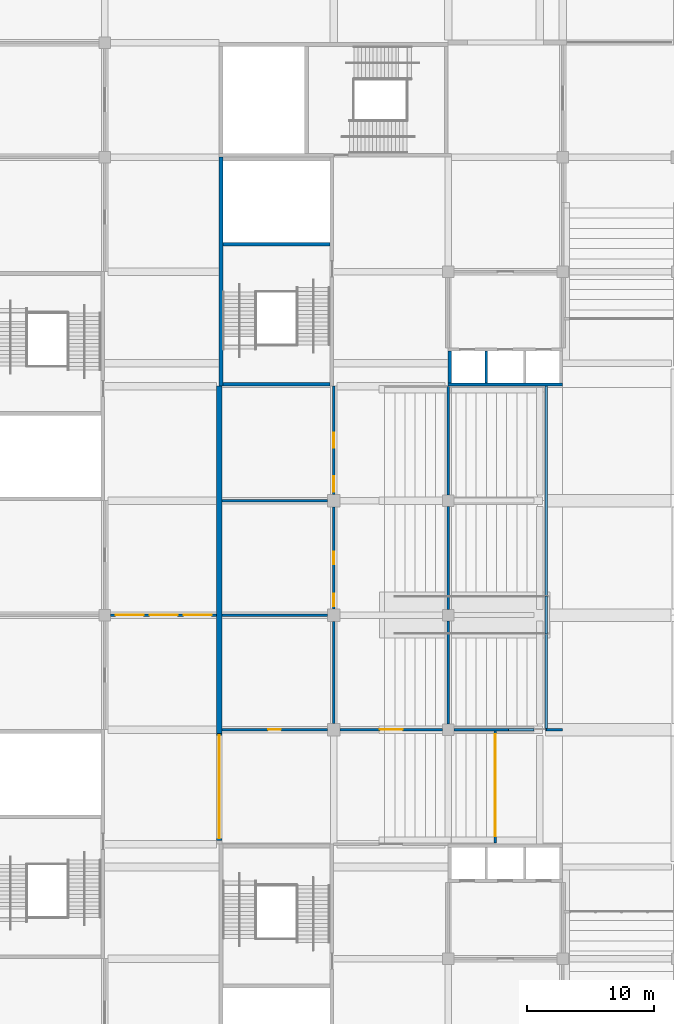
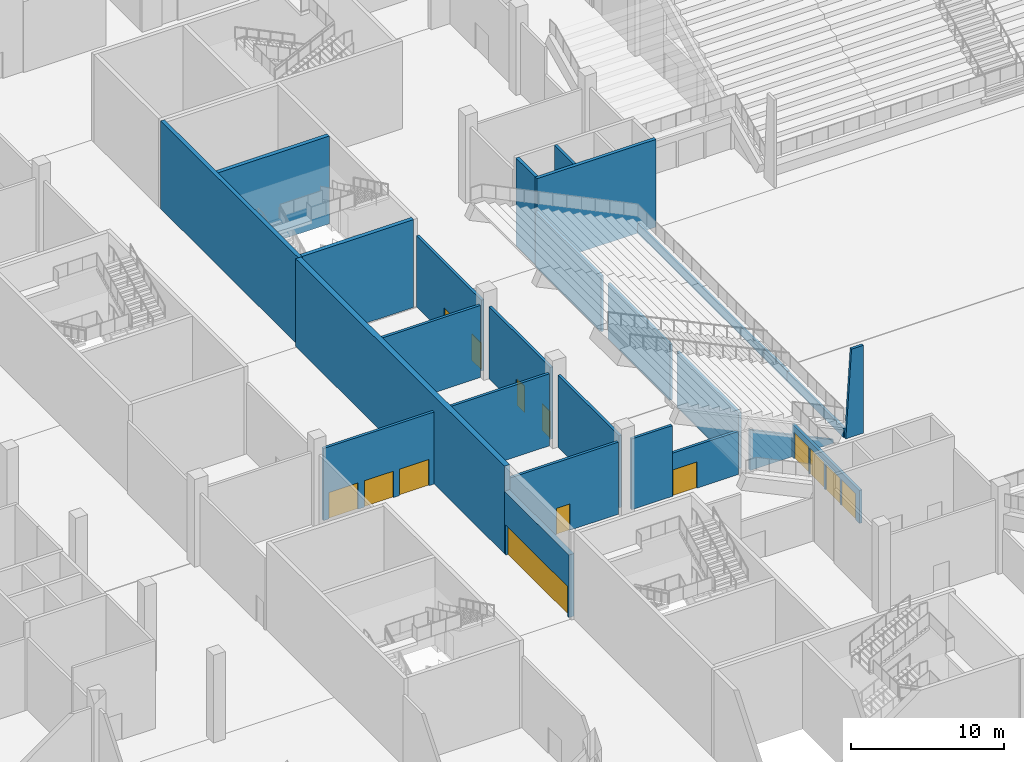
# One storey, part 28 of 92: 26 walls, 14 doors, 14 openings.
"""IFC4 building model written with IfcOpenShell, lengths in metres."""

from ifc_helpers import new_model, si_unit, direction, frame, frame_2d, origin, place, context, subcontext, project, spatial, polyline, rectangle, outline, extrude, material, layer, layer_set, type_object, element, fill, save


model = new_model("IFC4")

# Units and contexts
model_context = context("Model", 3, precision=1e-05, world=origin(), true_north=direction((0.0, 1.0)))
body_context = subcontext(model_context, "Body", "Model", "MODEL_VIEW")
ifc_project = project(units=[si_unit("LENGTHUNIT", "METRE"), si_unit("AREAUNIT", "SQUARE_METRE"), si_unit("VOLUMEUNIT", "CUBIC_METRE"), si_unit("PLANEANGLEUNIT", "RADIAN"), si_unit("MASSUNIT", "GRAM", prefix="KILO")], contexts=[model_context])

# Site, building, storey
site_placement = place(None, origin())
site = spatial("IfcSite", under=ifc_project, at=site_placement, CompositionType="ELEMENT")
building_placement = place(site_placement, origin())
building = spatial("IfcBuilding", under=site, at=building_placement, Name="Silverbay Arena", CompositionType="ELEMENT")
storey_placement = place(building_placement, origin())
storey = spatial("IfcBuildingStorey", under=building, at=storey_placement, Name="L00", CompositionType="ELEMENT", Elevation=0.0)

# Wall, opening, door
ifc_material_1 = material(Name="Concrete Grade C45", Category="concrete")
ifc_layer_1 = layer(ifc_material_1, 0.39990234375)
ifc_layer_set_1 = layer_set([ifc_layer_1], Name="Concrete Grade C45")
wall_type_1 = type_object("IfcWallType", Name="Bowl enclosure wall RC 400 EI 120", PredefinedType="SOLIDWALL", material=ifc_layer_set_1)
wall_1_placement = place(storey_placement, frame((72.0, 63.300048828125, 0.0), z_axis=(0.0, 0.0, 1.0), x_axis=(0.0, 1.0, 0.0)))
wall_1 = element("IfcWall", 1, at=wall_1_placement, inside=storey, type_object=wall_type_1, Name="tunnel floor tunnel WS", PredefinedType="SOLIDWALL", context=body_context, shape_type="SweptSolid", body=[
    extrude(rectangle(XDim=8.39990234375, YDim=0.39990234375, at=frame_2d((4.199951171875, 0.0))), origin(), (0.0, 0.0, 1.0), 5.0),
])
opening_1_placement = place(wall_1_placement, frame((0.14990234375, 0.0, 0.0)))
opening_1 = element("IfcOpeningElement", 2, at=opening_1_placement, cuts=wall_1, Name="Opening L00-228", PredefinedType="OPENING", context=body_context, shape_type="SweptSolid", body=[
    extrude(rectangle(XDim=8.10009765625, YDim=2.39990234375, at=frame_2d((4.050048828125, 1.199951171875))), frame((0.0, 0.2099609375, 0.0), z_axis=(0.0, -1.0, 0.0), x_axis=(1.0, 0.0, 0.0)), (0.0, 0.0, 1.0), 0.419921875),
])
ifc_material_2 = material(Name="Steel", Category="steel")
door_type_1 = type_object("IfcDoorType", Name="Fire door set 8100 x 2400 FD120S tunnel", OperationType="DOUBLE_DOOR_SINGLE_SWING", PredefinedType="DOOR", material=ifc_material_2)
door_1_placement = place(opening_1_placement, origin())
door_1 = element("IfcDoor", 3, at=door_1_placement, inside=storey, type_object=door_type_1, Name="Fire door set L00 tunnel floor tunnel WS", OperationType="DOUBLE_DOOR_SINGLE_SWING", OverallHeight=2.39990234375, OverallWidth=8.10009765625, PredefinedType="DOOR", context=body_context, shape_type="SweptSolid", body=[
    extrude(rectangle(XDim=8.10009765625, YDim=2.39990234375, at=frame_2d((4.050048828125, 1.199951171875))), frame((0.0, 0.02490234375, 0.0), z_axis=(0.0, -1.0, 0.0), x_axis=(1.0, 0.0, 0.0)), (0.0, 0.0, 1.0), 0.050048828125),
])
fill(opening_1, door_1)

# Walls
ifc_material_3 = material(Name="Concrete Grade C45", Category="concrete")
ifc_layer_2 = layer(ifc_material_3, 0.300048828125)
ifc_layer_set_2 = layer_set([ifc_layer_2], Name="Concrete Grade C45")
wall_type_2 = type_object("IfcWallType", Name="Core wall RC 300 EI 120", PredefinedType="SHEAR", material=ifc_layer_set_2)
wall_2_placement = place(storey_placement, frame((72.14990234375, 99.0, 0.0), z_axis=(0.0, 0.0, 1.0), x_axis=(0.0, 1.0, 0.0)))
element("IfcWall", 4, at=wall_2_placement, inside=storey, type_object=wall_type_2, Name="Core wall ST-NW2 L00 far side", PredefinedType="SHEAR", context=body_context, shape_type="SweptSolid", body=[
    extrude(rectangle(XDim=18.0, YDim=0.300048828125, at=frame_2d((9.0, 0.0))), origin(), (0.0, 0.0, 1.0), 7.0),
])
for number, where, z_axis, x_axis, name in (
    (5, (80.699951171875, 99.14990234375, 0.0), (0.0, 0.0, 1.0), (-1.0, 0.0, 0.0), "Core wall ST-NW2 L00 end 1"),
    (6, (80.699951171875, 110.14990234375, 0.0), (0.0, 0.0, 1.0), (-1.0, 0.0, 0.0), "Core wall ST-NW2 L00 stair enclosure"),
):
    element("IfcWall", number, at=place(storey_placement, frame(where, z_axis=z_axis, x_axis=x_axis)), inside=storey, type_object=wall_type_2, Name=name, PredefinedType="SHEAR", context=body_context, shape_type="SweptSolid", body=[
        extrude(rectangle(XDim=8.39990234375, YDim=0.300048828125, at=frame_2d((4.199951171875, 0.0))), origin(), (0.0, 0.0, 1.0), 7.0),
    ])
ifc_material_4 = material(Name="Concrete Grade C45", Category="concrete")
ifc_layer_3 = layer(ifc_material_4, 0.199951171875)
ifc_layer_set_3 = layer_set([ifc_layer_3], Name="Concrete Grade C45")
wall_type_3 = type_object("IfcWallType", Name="Lift shaft divider RC 200 EI 120", PredefinedType="SHEAR", material=ifc_layer_set_3)
wall_3_placement = place(storey_placement, frame((93.0, 99.25, 0.0), z_axis=(0.0, 0.0, 1.0), x_axis=(0.0, 1.0, 0.0)))
element("IfcWall", 7, at=wall_3_placement, inside=storey, type_object=wall_type_3, Name="Lift shaft divider LB-NW L00 1", PredefinedType="SHEAR", context=body_context, shape_type="SweptSolid", body=[
    extrude(rectangle(XDim=2.5, YDim=0.199951171875, at=frame_2d((1.25, 0.0))), origin(), (0.0, 0.0, 1.0), 7.0),
])
ifc_material_5 = material(Name="Concrete Grade C45", Category="concrete")
ifc_layer_4 = layer(ifc_material_5, 0.25)
ifc_layer_set_4 = layer_set([ifc_layer_4], Name="Concrete Grade C45")
wall_type_4 = type_object("IfcWallType", Name="Lift shaft wall RC 250 EI 120", PredefinedType="SHEAR", material=ifc_layer_set_4)
wall_4_placement = place(storey_placement, frame((90.0, 99.125, 0.0), z_axis=(0.0, 0.0, 1.0), x_axis=(1.0, 0.0, 0.0)))
element("IfcWall", 8, at=wall_4_placement, inside=storey, type_object=wall_type_4, Name="Lift shaft wall LB-NW L00 back", PredefinedType="SHEAR", context=body_context, shape_type="SweptSolid", body=[
    extrude(rectangle(XDim=9.0, YDim=0.25, at=frame_2d((4.5, 0.0))), origin(), (0.0, 0.0, 1.0), 7.0),
])
wall_5_placement = place(storey_placement, frame((90.125, 99.25, 0.0), z_axis=(0.0, 0.0, 1.0), x_axis=(0.0, 1.0, 0.0)))
element("IfcWall", 9, at=wall_5_placement, inside=storey, type_object=wall_type_4, Name="Lift shaft wall LB-NW L00 end", PredefinedType="SHEAR", context=body_context, shape_type="SweptSolid", body=[
    extrude(rectangle(XDim=2.5, YDim=0.25, at=frame_2d((1.25, 0.0))), origin(), (0.0, 0.0, 1.0), 7.0),
])

# Wall, opening, door
ifc_material_6 = material(Name="Masonry blockwork partition", Category="masonry")
ifc_layer_5 = layer(ifc_material_6, 0.199951171875)
ifc_layer_set_5 = layer_set([ifc_layer_5], Name="Masonry blockwork partition")
wall_type_5 = type_object("IfcWallType", Name="Partition 200 EI 120", PredefinedType="PARTITIONING", material=ifc_layer_set_5)
wall_6_placement = place(storey_placement, frame((72.199951171875, 72.0, 0.0), z_axis=(0.0, 0.0, 1.0), x_axis=(1.0, 0.0, 0.0)))
wall_6 = element("IfcWall", 10, at=wall_6_placement, inside=storey, type_object=wall_type_5, Name="Partition wall", PredefinedType="PARTITIONING", context=body_context, shape_type="SweptSolid", body=[
    extrude(rectangle(XDim=8.300048828125, YDim=0.199951171875, at=frame_2d((4.14990234375, 0.0))), origin(), (0.0, 0.0, 1.0), 5.75),
])
opening_2_placement = place(wall_6_placement, frame((3.64990234375, 0.0, 0.0)))
opening_2 = element("IfcOpeningElement", 11, at=opening_2_placement, cuts=wall_6, Name="Opening L00-042", PredefinedType="OPENING", context=body_context, shape_type="SweptSolid", body=[
    extrude(rectangle(XDim=1.0, YDim=2.10009765625, at=frame_2d((0.5, 1.050048828125))), frame((0.0, 0.10986328125, 0.0), z_axis=(0.0, -1.0, 0.0), x_axis=(1.0, 0.0, 0.0)), (0.0, 0.0, 1.0), 0.219970703125),
])
ifc_material_7 = material(Name="Steel faced timber", Category="steel")
door_type_2 = type_object("IfcDoorType", Name="Single leaf door 1000 x 2100 FD120", OperationType="SINGLE_SWING_LEFT", PredefinedType="DOOR", material=ifc_material_7)
door_2_placement = place(opening_2_placement, origin())
door_2 = element("IfcDoor", 12, at=door_2_placement, inside=storey, type_object=door_type_2, Name="Door L00-042", OperationType="SINGLE_SWING_RIGHT", OverallHeight=2.10009765625, OverallWidth=1.0, PredefinedType="DOOR", context=body_context, shape_type="SweptSolid", body=[
    extrude(rectangle(XDim=1.0, YDim=2.10009765625, at=frame_2d((0.5, 1.050048828125))), frame((0.0, 0.02490234375, 0.0), z_axis=(0.0, -1.0, 0.0), x_axis=(1.0, 0.0, 0.0)), (0.0, 0.0, 1.0), 0.050048828125),
])
fill(opening_2, door_2)

wall_7_placement = place(storey_placement, frame((84.571044921875, 72.0, 0.0), z_axis=(0.0, 0.0, 1.0), x_axis=(1.0, 0.0, 0.0)))
wall_7 = element("IfcWall", 13, at=wall_7_placement, inside=storey, type_object=wall_type_5, Name="Partition wall", PredefinedType="PARTITIONING", context=body_context, shape_type="SweptSolid", body=[
    extrude(rectangle(XDim=4.97900390625, YDim=0.199951171875, at=frame_2d((2.489501953125, 0.0))), origin(), (0.0, 0.0, 1.0), 3.43896484375),
])
opening_3_placement = place(wall_7_placement, frame((0.053955078125, 0.0, 0.0)))
opening_3 = element("IfcOpeningElement", 14, at=opening_3_placement, cuts=wall_7, Name="Opening L00-087", PredefinedType="OPENING", context=body_context, shape_type="SweptSolid", body=[
    extrude(rectangle(XDim=1.800048828125, YDim=2.10009765625, at=frame_2d((0.89990234375, 1.050048828125))), frame((0.0, 0.10986328125, 0.0), z_axis=(0.0, -1.0, 0.0), x_axis=(1.0, 0.0, 0.0)), (0.0, 0.0, 1.0), 0.219970703125),
])
ifc_material_8 = material(Name="Steel faced timber", Category="steel")
door_type_3 = type_object("IfcDoorType", Name="Double leaf door 1800 x 2100 FD120", OperationType="DOUBLE_DOOR_DOUBLE_SWING", PredefinedType="DOOR", material=ifc_material_8)
door_3_placement = place(opening_3_placement, origin())
door_3 = element("IfcDoor", 15, at=door_3_placement, inside=storey, type_object=door_type_3, Name="Door L00-087", OperationType="DOUBLE_DOOR_DOUBLE_SWING", OverallHeight=2.10009765625, OverallWidth=1.800048828125, PredefinedType="DOOR", context=body_context, shape_type="SweptSolid", body=[
    extrude(rectangle(XDim=1.800048828125, YDim=2.10009765625, at=frame_2d((0.89990234375, 1.050048828125))), frame((0.0, 0.02490234375, 0.0), z_axis=(0.0, -1.0, 0.0), x_axis=(1.0, 0.0, 0.0)), (0.0, 0.0, 1.0), 0.050048828125),
])
fill(opening_3, door_3)

# Walls
wall_8_placement = place(storey_placement, frame((97.64990234375, 72.0, 0.0), z_axis=(0.0, 0.0, 1.0), x_axis=(1.0, 0.0, 0.0)))
element("IfcWall", 16, at=wall_8_placement, inside=storey, type_object=wall_type_5, Name="Partition wall", PredefinedType="PARTITIONING", context=body_context, shape_type="SweptSolid", body=[
    extrude(outline(polyline([(0.0, 0.0), (1.340087890625, 0.0), (1.340087890625, 7.0), (0.44677734375, 7.0), (0.0, -0.188720703125), (0.0, 0.0)])), frame((0.0, 0.10009765625, 0.0), z_axis=(0.0, -1.0, 0.0), x_axis=(1.0, 0.0, 0.0)), (0.0, 0.0, 1.0), 0.199951171875),
])
wall_9_placement = place(storey_placement, frame((90.449951171875, 72.0, 0.0), z_axis=(0.0, 0.0, 1.0), x_axis=(1.0, 0.0, 0.0)))
element("IfcWall", 17, at=wall_9_placement, inside=storey, type_object=wall_type_5, Name="Partition wall", PredefinedType="PARTITIONING", context=body_context, shape_type="SweptSolid", body=[
    extrude(outline(polyline([(0.0, 0.0), (6.300048828125, 0.0), (6.300048828125, 0.23876953125), (5.8154296875, 0.468994140625), (4.361572265625, 1.159423828125), (0.0, 3.231201171875), (0.0, 0.0)])), frame((0.0, 0.10009765625, 0.0), z_axis=(0.0, -1.0, 0.0), x_axis=(1.0, 0.0, 0.0)), (0.0, 0.0, 1.0), 0.199951171875),
])

# Wall, openings, doors
wall_10_placement = place(storey_placement, frame((63.449951171875, 81.0, 0.0), z_axis=(0.0, 0.0, 1.0), x_axis=(1.0, 0.0, 0.0)))
wall_10 = element("IfcWall", 18, at=wall_10_placement, inside=storey, type_object=wall_type_5, Name="Partition wall", PredefinedType="PARTITIONING", context=body_context, shape_type="SweptSolid", body=[
    extrude(rectangle(XDim=8.35009765625, YDim=0.199951171875, at=frame_2d((4.175048828125, 0.0))), origin(), (0.0, 0.0, 1.0), 5.75),
])
opening_4_placement = place(wall_10_placement, frame((0.39990234375, 0.0, 0.0)))
opening_4 = element("IfcOpeningElement", 19, at=opening_4_placement, cuts=wall_10, Name="Opening L00-070", PredefinedType="OPENING", context=body_context, shape_type="SweptSolid", body=[
    extrude(rectangle(XDim=2.199951171875, YDim=2.10009765625, at=frame_2d((1.10009765625, 1.050048828125))), frame((0.0, 0.10986328125, 0.0), z_axis=(0.0, -1.0, 0.0), x_axis=(1.0, 0.0, 0.0)), (0.0, 0.0, 1.0), 0.219970703125),
])
opening_5_placement = place(wall_10_placement, frame((3.074951171875, 0.0, 0.0)))
opening_5 = element("IfcOpeningElement", 20, at=opening_5_placement, cuts=wall_10, Name="Opening L00-071", PredefinedType="OPENING", context=body_context, shape_type="SweptSolid", body=[
    extrude(rectangle(XDim=2.199951171875, YDim=2.10009765625, at=frame_2d((1.10009765625, 1.050048828125))), frame((0.0, 0.10986328125, 0.0), z_axis=(0.0, -1.0, 0.0), x_axis=(1.0, 0.0, 0.0)), (0.0, 0.0, 1.0), 0.219970703125),
])
opening_6_placement = place(wall_10_placement, frame((5.75, 0.0, 0.0)))
opening_6 = element("IfcOpeningElement", 21, at=opening_6_placement, cuts=wall_10, Name="Opening L00-072", PredefinedType="OPENING", context=body_context, shape_type="SweptSolid", body=[
    extrude(rectangle(XDim=2.199951171875, YDim=2.10009765625, at=frame_2d((1.10009765625, 1.050048828125))), frame((0.0, 0.10986328125, 0.0), z_axis=(0.0, -1.0, 0.0), x_axis=(1.0, 0.0, 0.0)), (0.0, 0.0, 1.0), 0.219970703125),
])
ifc_material_9 = material(Name="Steel faced timber", Category="steel")
door_type_4 = type_object("IfcDoorType", Name="Double leaf door 2200 x 2100 FD120", OperationType="DOUBLE_DOOR_DOUBLE_SWING", PredefinedType="DOOR", material=ifc_material_9)
door_4_placement = place(opening_4_placement, origin())
door_4 = element("IfcDoor", 22, at=door_4_placement, inside=storey, type_object=door_type_4, Name="Door L00-070", OperationType="DOUBLE_DOOR_DOUBLE_SWING", OverallHeight=2.10009765625, OverallWidth=2.199951171875, PredefinedType="DOOR", context=body_context, shape_type="SweptSolid", body=[
    extrude(rectangle(XDim=2.199951171875, YDim=2.10009765625, at=frame_2d((1.10009765625, 1.050048828125))), frame((0.0, 0.02490234375, 0.0), z_axis=(0.0, -1.0, 0.0), x_axis=(1.0, 0.0, 0.0)), (0.0, 0.0, 1.0), 0.050048828125),
])
fill(opening_4, door_4)
door_5_placement = place(opening_5_placement, origin())
door_5 = element("IfcDoor", 23, at=door_5_placement, inside=storey, type_object=door_type_4, Name="Door L00-071", OperationType="DOUBLE_DOOR_DOUBLE_SWING", OverallHeight=2.10009765625, OverallWidth=2.199951171875, PredefinedType="DOOR", context=body_context, shape_type="SweptSolid", body=[
    extrude(rectangle(XDim=2.199951171875, YDim=2.10009765625, at=frame_2d((1.10009765625, 1.050048828125))), frame((0.0, 0.02490234375, 0.0), z_axis=(0.0, -1.0, 0.0), x_axis=(1.0, 0.0, 0.0)), (0.0, 0.0, 1.0), 0.050048828125),
])
fill(opening_5, door_5)
door_6_placement = place(opening_6_placement, origin())
door_6 = element("IfcDoor", 24, at=door_6_placement, inside=storey, type_object=door_type_4, Name="Door L00-072", OperationType="DOUBLE_DOOR_DOUBLE_SWING", OverallHeight=2.10009765625, OverallWidth=2.199951171875, PredefinedType="DOOR", context=body_context, shape_type="SweptSolid", body=[
    extrude(rectangle(XDim=2.199951171875, YDim=2.10009765625, at=frame_2d((1.10009765625, 1.050048828125))), frame((0.0, 0.02490234375, 0.0), z_axis=(0.0, -1.0, 0.0), x_axis=(1.0, 0.0, 0.0)), (0.0, 0.0, 1.0), 0.050048828125),
])
fill(opening_6, door_6)

# Walls
for number, where, z_axis, x_axis, name in (
    (25, (72.199951171875, 81.0, 0.0), (0.0, 0.0, 1.0), (1.0, 0.0, 0.0), "Partition wall"),
    (26, (72.199951171875, 90.0, 0.0), (0.0, 0.0, 1.0), (1.0, 0.0, 0.0), "Partition wall"),
):
    element("IfcWall", number, at=place(storey_placement, frame(where, z_axis=z_axis, x_axis=x_axis)), inside=storey, type_object=wall_type_5, Name=name, PredefinedType="PARTITIONING", context=body_context, shape_type="SweptSolid", body=[
        extrude(rectangle(XDim=8.300048828125, YDim=0.199951171875, at=frame_2d((4.14990234375, 0.0))), origin(), (0.0, 0.0, 1.0), 5.75),
    ])

# Wall, openings, doors
wall_11_placement = place(storey_placement, frame((81.0, 81.5, 0.0), z_axis=(0.0, 0.0, 1.0), x_axis=(0.0, 1.0, 0.0)))
wall_11 = element("IfcWall", 27, at=wall_11_placement, inside=storey, type_object=wall_type_5, Name="Partition wall", PredefinedType="PARTITIONING", context=body_context, shape_type="SweptSolid", body=[
    extrude(rectangle(XDim=8.0, YDim=0.199951171875, at=frame_2d((4.0, 0.0))), origin(), (0.0, 0.0, 1.0), 5.75),
])
opening_7_placement = place(wall_11_placement, frame((3.5, 0.0, 0.0)))
opening_7 = element("IfcOpeningElement", 28, at=opening_7_placement, cuts=wall_11, Name="Opening L00-043", PredefinedType="OPENING", context=body_context, shape_type="SweptSolid", body=[
    extrude(rectangle(XDim=1.0, YDim=2.10009765625, at=frame_2d((0.5, 1.050048828125))), frame((0.0, 0.10986328125, 0.0), z_axis=(0.0, -1.0, 0.0), x_axis=(1.0, 0.0, 0.0)), (0.0, 0.0, 1.0), 0.219970703125),
])
opening_8_placement = place(wall_11_placement, frame((0.199951171875, 0.0, 0.0)))
opening_8 = element("IfcOpeningElement", 29, at=opening_8_placement, cuts=wall_11, Name="Opening L00-104", PredefinedType="OPENING", context=body_context, shape_type="SweptSolid", body=[
    extrude(rectangle(XDim=1.0, YDim=2.10009765625, at=frame_2d((0.5, 1.050048828125))), frame((0.0, 0.10986328125, 0.0), z_axis=(0.0, -1.0, 0.0), x_axis=(1.0, 0.0, 0.0)), (0.0, 0.0, 1.0), 0.219970703125),
])
door_7_placement = place(opening_7_placement, origin())
door_7 = element("IfcDoor", 30, at=door_7_placement, inside=storey, type_object=door_type_2, Name="Door L00-043", OperationType="SINGLE_SWING_LEFT", OverallHeight=2.10009765625, OverallWidth=1.0, PredefinedType="DOOR", context=body_context, shape_type="SweptSolid", body=[
    extrude(rectangle(XDim=1.0, YDim=2.10009765625, at=frame_2d((0.5, 1.050048828125))), frame((0.0, 0.02490234375, 0.0), z_axis=(0.0, -1.0, 0.0), x_axis=(1.0, 0.0, 0.0)), (0.0, 0.0, 1.0), 0.050048828125),
])
fill(opening_7, door_7)
door_8_placement = place(opening_8_placement, origin())
door_8 = element("IfcDoor", 31, at=door_8_placement, inside=storey, type_object=door_type_2, Name="Door L00-104", OperationType="SINGLE_SWING_LEFT", OverallHeight=2.10009765625, OverallWidth=1.0, PredefinedType="DOOR", context=body_context, shape_type="SweptSolid", body=[
    extrude(rectangle(XDim=1.0, YDim=2.10009765625, at=frame_2d((0.5, 1.050048828125))), frame((0.0, 0.02490234375, 0.0), z_axis=(0.0, -1.0, 0.0), x_axis=(1.0, 0.0, 0.0)), (0.0, 0.0, 1.0), 0.050048828125),
])
fill(opening_8, door_8)

# Walls
wall_12_placement = place(storey_placement, frame((81.5, 72.0, 0.0), z_axis=(0.0, 0.0, 1.0), x_axis=(1.0, 0.0, 0.0)))
element("IfcWall", 32, at=wall_12_placement, inside=storey, type_object=wall_type_5, Name="Partition wall", PredefinedType="PARTITIONING", context=body_context, shape_type="SweptSolid", body=[
    extrude(rectangle(XDim=3.071044921875, YDim=0.199951171875, at=frame_2d((1.53564453125, 0.0))), origin(), (0.0, 0.0, 1.0), 5.64990234375),
])
ifc_material_10 = material(Name="Gypsum board partition on steel studs", Category="steel")
ifc_layer_6 = layer(ifc_material_10, 0.199951171875)
ifc_layer_set_6 = layer_set([ifc_layer_6], Name="Gypsum board partition on steel studs")
wall_type_6 = type_object("IfcWallType", Name="Partition 200 EI 60", PredefinedType="PARTITIONING", material=ifc_layer_set_6)
wall_13_placement = place(storey_placement, frame((81.0, 72.5, 0.0), z_axis=(0.0, 0.0, 1.0), x_axis=(0.0, 1.0, 0.0)))
element("IfcWall", 33, at=wall_13_placement, inside=storey, type_object=wall_type_6, Name="Partition wall", PredefinedType="PARTITIONING", context=body_context, shape_type="SweptSolid", body=[
    extrude(rectangle(XDim=8.0, YDim=0.199951171875, at=frame_2d((4.0, 0.0))), origin(), (0.0, 0.0, 1.0), 5.75),
])

# Wall, openings, doors
wall_14_placement = place(storey_placement, frame((81.0, 90.5, 0.0), z_axis=(0.0, 0.0, 1.0), x_axis=(0.0, 1.0, 0.0)))
wall_14 = element("IfcWall", 34, at=wall_14_placement, inside=storey, type_object=wall_type_6, Name="Partition wall", PredefinedType="PARTITIONING", context=body_context, shape_type="SweptSolid", body=[
    extrude(rectangle(XDim=8.5, YDim=0.199951171875, at=frame_2d((4.25, 0.0))), origin(), (0.0, 0.0, 1.0), 5.64990234375),
])
opening_9_placement = place(wall_14_placement, frame((3.64990234375, 0.0, 0.0)))
opening_9 = element("IfcOpeningElement", 35, at=opening_9_placement, cuts=wall_14, Name="Opening L00-044", PredefinedType="OPENING", context=body_context, shape_type="SweptSolid", body=[
    extrude(rectangle(XDim=1.199951171875, YDim=2.10009765625, at=frame_2d((0.60009765625, 1.050048828125))), frame((0.0, 0.10986328125, 0.0), z_axis=(0.0, -1.0, 0.0), x_axis=(1.0, 0.0, 0.0)), (0.0, 0.0, 1.0), 0.219970703125),
])
opening_10_placement = place(wall_14_placement, frame((0.199951171875, 0.0, 0.0)))
opening_10 = element("IfcOpeningElement", 36, at=opening_10_placement, cuts=wall_14, Name="Opening L00-105", PredefinedType="OPENING", context=body_context, shape_type="SweptSolid", body=[
    extrude(rectangle(XDim=1.199951171875, YDim=2.10009765625, at=frame_2d((0.60009765625, 1.050048828125))), frame((0.0, 0.10986328125, 0.0), z_axis=(0.0, -1.0, 0.0), x_axis=(1.0, 0.0, 0.0)), (0.0, 0.0, 1.0), 0.219970703125),
])
ifc_material_11 = material(Name="Steel faced timber", Category="steel")
door_type_5 = type_object("IfcDoorType", Name="Single leaf door 1200 x 2100 FD30S", OperationType="SINGLE_SWING_LEFT", PredefinedType="DOOR", material=ifc_material_11)
door_9_placement = place(opening_9_placement, origin())
door_9 = element("IfcDoor", 37, at=door_9_placement, inside=storey, type_object=door_type_5, Name="Door L00-044", OperationType="SINGLE_SWING_RIGHT", OverallHeight=2.10009765625, OverallWidth=1.199951171875, PredefinedType="DOOR", context=body_context, shape_type="SweptSolid", body=[
    extrude(rectangle(XDim=1.199951171875, YDim=2.10009765625, at=frame_2d((0.60009765625, 1.050048828125))), frame((0.0, 0.02490234375, 0.0), z_axis=(0.0, -1.0, 0.0), x_axis=(1.0, 0.0, 0.0)), (0.0, 0.0, 1.0), 0.050048828125),
])
fill(opening_9, door_9)
door_10_placement = place(opening_10_placement, origin())
door_10 = element("IfcDoor", 38, at=door_10_placement, inside=storey, type_object=door_type_5, Name="Door L00-105", OperationType="SINGLE_SWING_LEFT", OverallHeight=2.10009765625, OverallWidth=1.199951171875, PredefinedType="DOOR", context=body_context, shape_type="SweptSolid", body=[
    extrude(rectangle(XDim=1.199951171875, YDim=2.10009765625, at=frame_2d((0.60009765625, 1.050048828125))), frame((0.0, 0.02490234375, 0.0), z_axis=(0.0, -1.0, 0.0), x_axis=(1.0, 0.0, 0.0)), (0.0, 0.0, 1.0), 0.050048828125),
])
fill(opening_10, door_10)

# Walls
for number, where, z_axis, x_axis, name in (
    (39, (90.0, 72.449951171875, 0.0), (0.0, 0.0, 1.0), (0.0, 1.0, 0.0), "Partition wall"),
    (40, (90.0, 81.449951171875, 0.0), (0.0, 0.0, 1.0), (0.0, 1.0, 0.0), "Partition wall"),
):
    element("IfcWall", number, at=place(storey_placement, frame(where, z_axis=z_axis, x_axis=x_axis)), inside=storey, type_object=wall_type_6, Name=name, PredefinedType="PARTITIONING", context=body_context, shape_type="SweptSolid", body=[
        extrude(rectangle(XDim=8.10009765625, YDim=0.199951171875, at=frame_2d((4.050048828125, 0.0))), origin(), (0.0, 0.0, 1.0), 4.445068359375),
    ])
wall_15_placement = place(storey_placement, frame((90.0, 90.449951171875, 0.0), z_axis=(0.0, 0.0, 1.0), x_axis=(0.0, 1.0, 0.0)))
element("IfcWall", 41, at=wall_15_placement, inside=storey, type_object=wall_type_6, Name="Partition wall", PredefinedType="PARTITIONING", context=body_context, shape_type="SweptSolid", body=[
    extrude(rectangle(XDim=8.5400390625, YDim=0.199951171875, at=frame_2d((4.27001953125, 0.0))), origin(), (0.0, 0.0, 1.0), 4.445068359375),
])
ifc_material_12 = material(Name="Concrete Grade C45", Category="concrete")
ifc_layer_7 = layer(ifc_material_12, 0.39990234375)
ifc_layer_set_7 = layer_set([ifc_layer_7], Name="Concrete Grade C45")
wall_type_7 = type_object("IfcWallType", Name="RC back wall 400 EI 120", PredefinedType="SOLIDWALL", material=ifc_layer_set_7)
wall_16_placement = place(storey_placement, frame((72.0, 99.0, 0.0), z_axis=(0.0, 0.0, 1.0), x_axis=(0.0, -1.0, 0.0)))
element("IfcWall", 42, at=wall_16_placement, inside=storey, type_object=wall_type_7, Name="Bowl back wall L00 13", PredefinedType="SOLIDWALL", context=body_context, shape_type="SweptSolid", body=[
    extrude(rectangle(XDim=27.300048828125, YDim=0.39990234375, at=frame_2d((13.64990234375, 0.0))), origin(), (0.0, 0.0, 1.0), 7.0),
])
ifc_material_13 = material(Name="Concrete Grade C45", Category="concrete")
ifc_layer_8 = layer(ifc_material_13, 0.199951171875)
ifc_layer_set_8 = layer_set([ifc_layer_8], Name="Concrete Grade C45")
wall_type_8 = type_object("IfcWallType", Name="Stand front wall RC 200 EI 120", PredefinedType="SOLIDWALL", material=ifc_layer_set_8)
wall_17_placement = place(storey_placement, frame((97.699951171875, 72.10009765625, 0.0), z_axis=(0.0, 0.0, 1.0), x_axis=(0.0, 1.0, 0.0)))
element("IfcWall", 43, at=wall_17_placement, inside=storey, type_object=wall_type_8, Name="Stand front wall", PredefinedType="SOLIDWALL", context=body_context, shape_type="SweptSolid", body=[
    extrude(rectangle(XDim=7.39990234375, YDim=0.199951171875, at=frame_2d((3.699951171875, 0.0))), origin(), (0.0, 0.0, 1.0), 0.739990234375),
])
wall_18_placement = place(storey_placement, frame((97.699951171875, 79.5, 0.0), z_axis=(0.0, 0.0, 1.0), x_axis=(0.0, 1.0, 0.0)))
element("IfcWall", 44, at=wall_18_placement, inside=storey, type_object=wall_type_8, Name="Stand front wall", PredefinedType="SOLIDWALL", context=body_context, shape_type="SweptSolid", body=[
    extrude(rectangle(XDim=3.0, YDim=0.199951171875, at=frame_2d((1.5, 0.0))), origin(), (0.0, 0.0, 1.0), 0.811279296875),
])
wall_19_placement = place(storey_placement, frame((97.699951171875, 82.5, 0.0), z_axis=(0.0, 0.0, 1.0), x_axis=(0.0, 1.0, 0.0)))
element("IfcWall", 45, at=wall_19_placement, inside=storey, type_object=wall_type_8, Name="Stand front wall", PredefinedType="SOLIDWALL", context=body_context, shape_type="SweptSolid", body=[
    extrude(rectangle(XDim=16.5, YDim=0.199951171875, at=frame_2d((8.25, 0.0))), origin(), (0.0, 0.0, 1.0), 0.739990234375),
])

# Wall, openings, doors
ifc_material_14 = material(Name="Concrete Grade C45", Category="concrete")
ifc_layer_9 = layer(ifc_material_14, 0.199951171875)
ifc_layer_set_9 = layer_set([ifc_layer_9], Name="Concrete Grade C45")
wall_type_9 = type_object("IfcWallType", Name="Tunnel mouth wall RC 200 EI 120", PredefinedType="SOLIDWALL", material=ifc_layer_set_9)
wall_20_placement = place(storey_placement, frame((93.699951171875, 63.10009765625, 0.0), z_axis=(0.0, 0.0, 1.0), x_axis=(0.0, 1.0, 0.0)))
wall_20 = element("IfcWall", 46, at=wall_20_placement, inside=storey, type_object=wall_type_9, Name="tunnel mouth floor tunnel WS", PredefinedType="SOLIDWALL", context=body_context, shape_type="SweptSolid", body=[
    extrude(rectangle(XDim=8.7998046875, YDim=0.199951171875, at=frame_2d((4.39990234375, 0.0))), origin(), (0.0, 0.0, 1.0), 2.639892578125),
])
opening_11_placement = place(wall_20_placement, frame((0.5, 0.0, 0.0)))
opening_11 = element("IfcOpeningElement", 47, at=opening_11_placement, cuts=wall_20, Name="Opening L00-246", PredefinedType="OPENING", context=body_context, shape_type="SweptSolid", body=[
    extrude(rectangle(XDim=1.89990234375, YDim=2.10009765625, at=frame_2d((0.949951171875, 1.050048828125))), frame((0.0, 0.10986328125, 0.0), z_axis=(0.0, -1.0, 0.0), x_axis=(1.0, 0.0, 0.0)), (0.0, 0.0, 1.0), 0.219970703125),
])
opening_12_placement = place(wall_20_placement, frame((2.550048828125, 0.0, 0.0)))
opening_12 = element("IfcOpeningElement", 48, at=opening_12_placement, cuts=wall_20, Name="Opening L00-247", PredefinedType="OPENING", context=body_context, shape_type="SweptSolid", body=[
    extrude(rectangle(XDim=1.89990234375, YDim=2.10009765625, at=frame_2d((0.949951171875, 1.050048828125))), frame((0.0, 0.10986328125, 0.0), z_axis=(0.0, -1.0, 0.0), x_axis=(1.0, 0.0, 0.0)), (0.0, 0.0, 1.0), 0.219970703125),
])
opening_13_placement = place(wall_20_placement, frame((4.60009765625, 0.0, 0.0)))
opening_13 = element("IfcOpeningElement", 49, at=opening_13_placement, cuts=wall_20, Name="Opening L00-248", PredefinedType="OPENING", context=body_context, shape_type="SweptSolid", body=[
    extrude(rectangle(XDim=1.89990234375, YDim=2.10009765625, at=frame_2d((0.949951171875, 1.050048828125))), frame((0.0, 0.10986328125, 0.0), z_axis=(0.0, -1.0, 0.0), x_axis=(1.0, 0.0, 0.0)), (0.0, 0.0, 1.0), 0.219970703125),
])
opening_14_placement = place(wall_20_placement, frame((6.64990234375, 0.0, 0.0)))
opening_14 = element("IfcOpeningElement", 50, at=opening_14_placement, cuts=wall_20, Name="Opening L00-249", PredefinedType="OPENING", context=body_context, shape_type="SweptSolid", body=[
    extrude(rectangle(XDim=1.89990234375, YDim=2.10009765625, at=frame_2d((0.949951171875, 1.050048828125))), frame((0.0, 0.10986328125, 0.0), z_axis=(0.0, -1.0, 0.0), x_axis=(1.0, 0.0, 0.0)), (0.0, 0.0, 1.0), 0.219970703125),
])
ifc_material_15 = material(Name="Steel", Category="steel")
door_type_6 = type_object("IfcDoorType", Name="Fire door pair 1900 x 2100 FD120S tunnel", OperationType="DOUBLE_DOOR_SINGLE_SWING", PredefinedType="DOOR", material=ifc_material_15)
door_11_placement = place(opening_11_placement, origin())
door_11 = element("IfcDoor", 51, at=door_11_placement, inside=storey, type_object=door_type_6, Name="Fire door pair L00 tunnel mouth floor tunnel WS", OperationType="DOUBLE_DOOR_SINGLE_SWING", OverallHeight=2.10009765625, OverallWidth=1.89990234375, PredefinedType="DOOR", context=body_context, shape_type="SweptSolid", body=[
    extrude(rectangle(XDim=1.89990234375, YDim=2.10009765625, at=frame_2d((0.949951171875, 1.050048828125))), frame((0.0, 0.02490234375, 0.0), z_axis=(0.0, -1.0, 0.0), x_axis=(1.0, 0.0, 0.0)), (0.0, 0.0, 1.0), 0.050048828125),
])
fill(opening_11, door_11)
door_12_placement = place(opening_12_placement, origin())
door_12 = element("IfcDoor", 52, at=door_12_placement, inside=storey, type_object=door_type_6, Name="Fire door pair L00 tunnel mouth floor tunnel WS", OperationType="DOUBLE_DOOR_SINGLE_SWING", OverallHeight=2.10009765625, OverallWidth=1.89990234375, PredefinedType="DOOR", context=body_context, shape_type="SweptSolid", body=[
    extrude(rectangle(XDim=1.89990234375, YDim=2.10009765625, at=frame_2d((0.949951171875, 1.050048828125))), frame((0.0, 0.02490234375, 0.0), z_axis=(0.0, -1.0, 0.0), x_axis=(1.0, 0.0, 0.0)), (0.0, 0.0, 1.0), 0.050048828125),
])
fill(opening_12, door_12)
door_13_placement = place(opening_13_placement, origin())
door_13 = element("IfcDoor", 53, at=door_13_placement, inside=storey, type_object=door_type_6, Name="Fire door pair L00 tunnel mouth floor tunnel WS", OperationType="DOUBLE_DOOR_SINGLE_SWING", OverallHeight=2.10009765625, OverallWidth=1.89990234375, PredefinedType="DOOR", context=body_context, shape_type="SweptSolid", body=[
    extrude(rectangle(XDim=1.89990234375, YDim=2.10009765625, at=frame_2d((0.949951171875, 1.050048828125))), frame((0.0, 0.02490234375, 0.0), z_axis=(0.0, -1.0, 0.0), x_axis=(1.0, 0.0, 0.0)), (0.0, 0.0, 1.0), 0.050048828125),
])
fill(opening_13, door_13)
door_14_placement = place(opening_14_placement, origin())
door_14 = element("IfcDoor", 54, at=door_14_placement, inside=storey, type_object=door_type_6, Name="Fire door pair L00 tunnel mouth floor tunnel WS", OperationType="DOUBLE_DOOR_SINGLE_SWING", OverallHeight=2.10009765625, OverallWidth=1.89990234375, PredefinedType="DOOR", context=body_context, shape_type="SweptSolid", body=[
    extrude(rectangle(XDim=1.89990234375, YDim=2.10009765625, at=frame_2d((0.949951171875, 1.050048828125))), frame((0.0, 0.02490234375, 0.0), z_axis=(0.0, -1.0, 0.0), x_axis=(1.0, 0.0, 0.0)), (0.0, 0.0, 1.0), 0.050048828125),
])
fill(opening_14, door_14)

save(model, "model.ifc")
